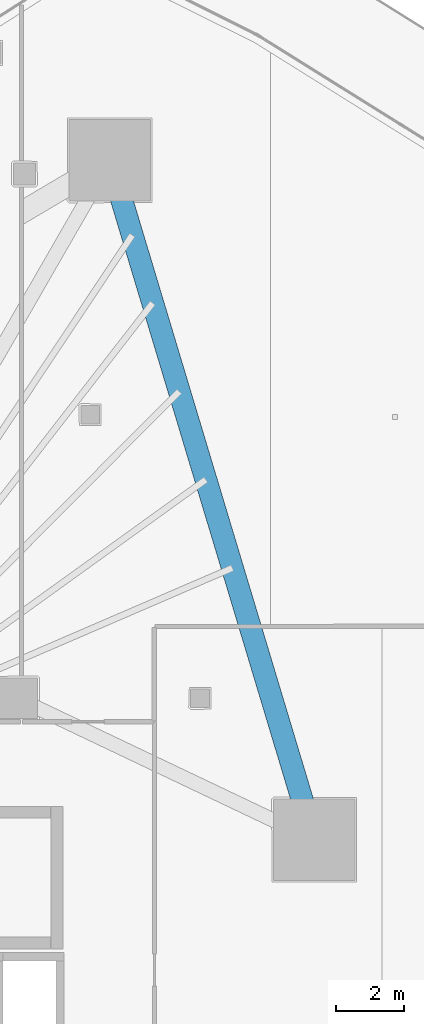
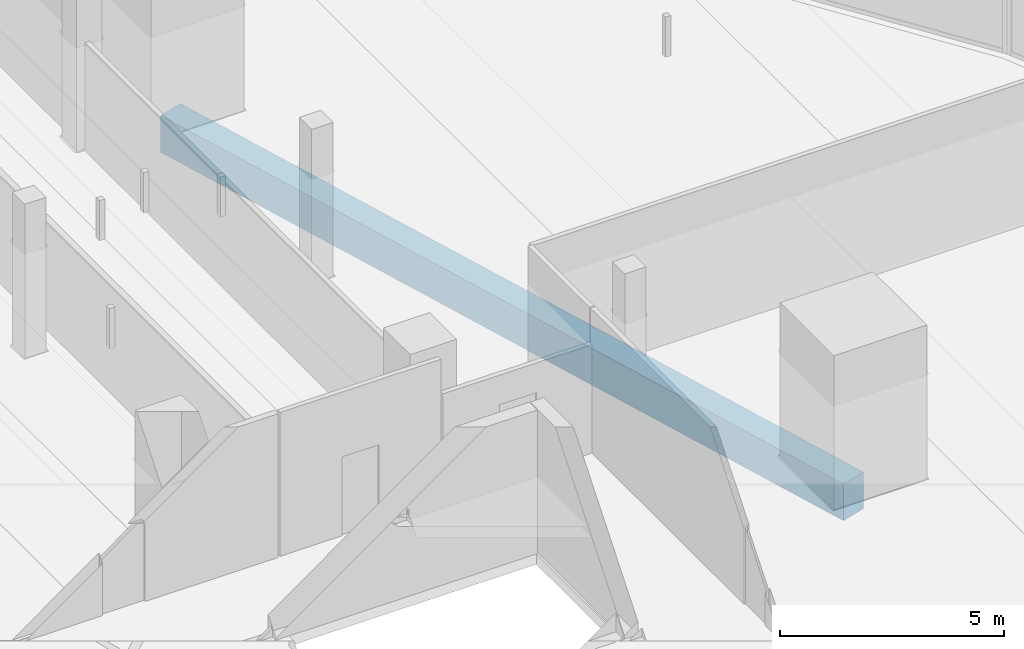
# One storey, part 20 of 44: 1 beam.
"""IFC4 building model written with IfcOpenShell, lengths in metres."""

from ifc_helpers import new_model, si_unit, direction, frame, origin, origin_2d, place, context, subcontext, project, spatial, rectangle, extrude, material, material_profile, profile_set, type_object, element, save


model = new_model("IFC4")

# Units and contexts
model_context = context("Model", 3, precision=1e-05, world=origin(), true_north=direction((0.0, 1.0)))
body_context = subcontext(model_context, "Body", "Model", "MODEL_VIEW")
ifc_project = project(units=[si_unit("LENGTHUNIT", "METRE"), si_unit("AREAUNIT", "SQUARE_METRE"), si_unit("VOLUMEUNIT", "CUBIC_METRE"), si_unit("PLANEANGLEUNIT", "RADIAN"), si_unit("MASSUNIT", "GRAM", prefix="KILO")], contexts=[model_context])

# Site, building, storey
site_placement = place(None, origin())
site = spatial("IfcSite", under=ifc_project, at=site_placement, CompositionType="ELEMENT")
building_placement = place(site_placement, origin())
building = spatial("IfcBuilding", under=site, at=building_placement, Name="Qorvath Tower", CompositionType="ELEMENT")
storey_placement = place(building_placement, frame((0.0, 0.0, 53.39990234375)))
storey = spatial("IfcBuildingStorey", under=building, at=storey_placement, Name="L11", CompositionType="ELEMENT", Elevation=53.39990234375)

# Beam
ifc_material = material(Name="Concrete C50/60", Category="concrete")
ifc_material_profile = material_profile(ifc_material, rectangle(XDim=0.64990234375, YDim=1.0, at=origin_2d()), Name="RCB 1000x650")
ifc_profile_set = profile_set([ifc_material_profile], Name="Concrete C50/60")
beam_type = type_object("IfcBeamType", Name="BM-RCB1", PredefinedType="SPANDREL", material=ifc_profile_set)
beam_placement = place(storey_placement, frame((-8.430419921875, 7.2763671875, -0.77978515625), z_axis=(-0.288118908799, 0.957594639914, 0.0), x_axis=(-0.957594639914, -0.288118908799, 0.0)))
element("IfcBeam", 1, at=beam_placement, inside=storey, type_object=beam_type, Name="Perimeter Loggia Frame Beam MC5-MC6 L11", PredefinedType="SPANDREL", context=body_context, shape_type="SweptSolid", body=[
    extrude(rectangle(XDim=0.64990234375, YDim=1.0, at=origin_2d()), origin(), (0.0, 0.0, 1.0), 20.942626953125),
])

save(model, "model.ifc")
